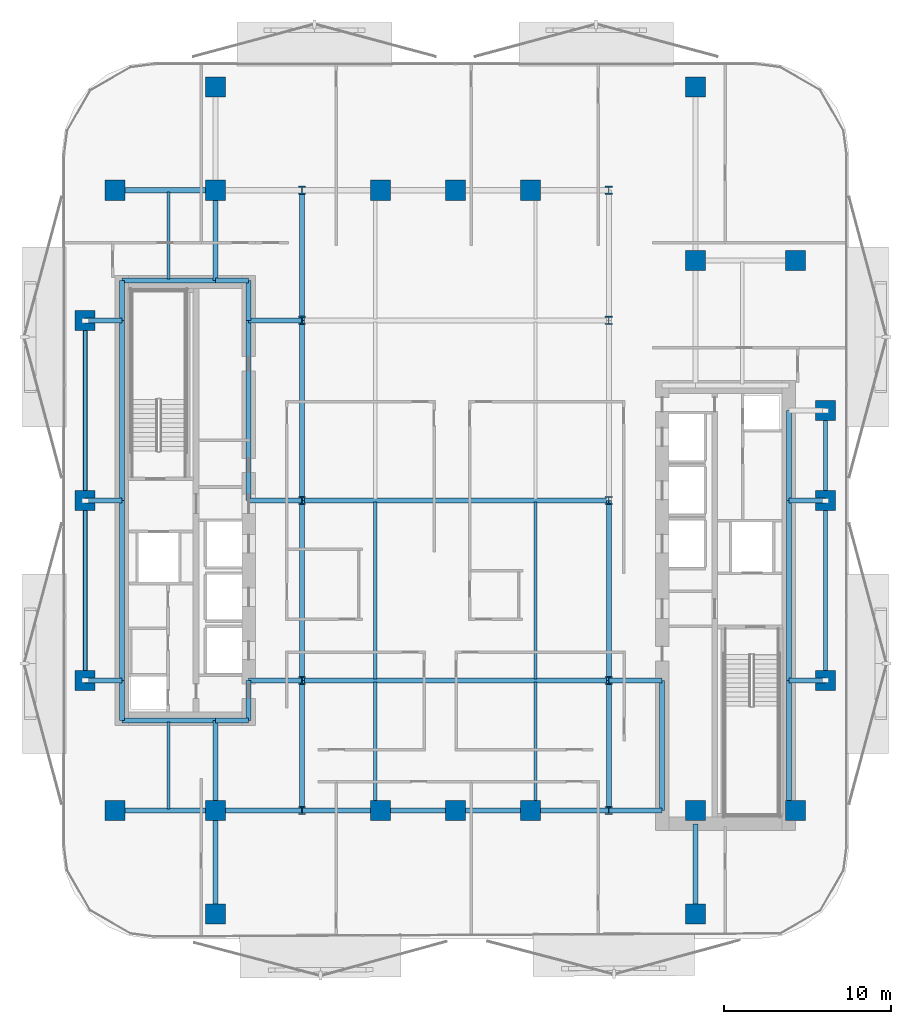
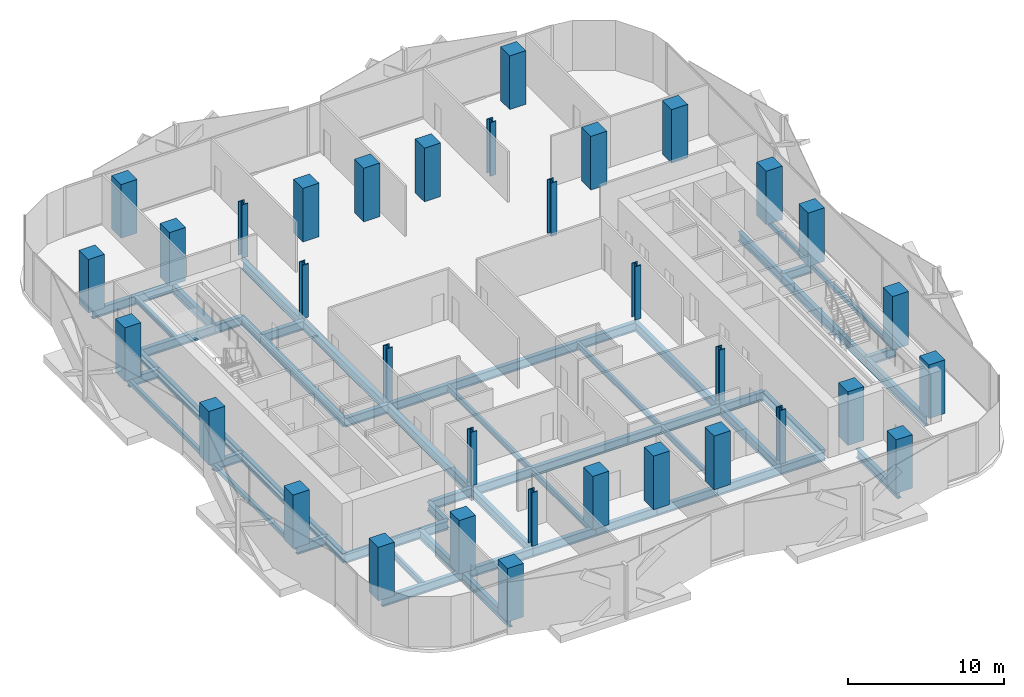
# One storey, part 1 of 15: 54 beams, 34 columns.
"""IFC4 building model written with IfcOpenShell, lengths in metres."""

from ifc_helpers import new_model, si_unit, direction, frame, origin, origin_2d, place, context, subcontext, project, spatial, rectangle, hollow_rectangle, i_section, extrude, material, material_profile, profile_set, type_object, element, save


model = new_model("IFC4")

# Units and contexts
model_context = context("Model", 3, precision=1e-05, world=origin(), true_north=direction((0.0, 1.0)))
body_context = subcontext(model_context, "Body", "Model", "MODEL_VIEW")
ifc_project = project(units=[si_unit("LENGTHUNIT", "METRE"), si_unit("AREAUNIT", "SQUARE_METRE"), si_unit("VOLUMEUNIT", "CUBIC_METRE"), si_unit("PLANEANGLEUNIT", "RADIAN"), si_unit("MASSUNIT", "GRAM", prefix="KILO")], contexts=[model_context])

# Site, building, storey
site_placement = place(None, origin())
site = spatial("IfcSite", under=ifc_project, at=site_placement, CompositionType="ELEMENT")
building_placement = place(site_placement, origin())
building = spatial("IfcBuilding", under=site, at=building_placement, Name="Khairoan Windgate Tower", CompositionType="ELEMENT")
storey_placement = place(building_placement, frame((0.0, 0.0, 135.199951171875)))
storey = spatial("IfcBuildingStorey", under=building, at=storey_placement, Name="L31", CompositionType="ELEMENT", Elevation=135.199951171875)

# Columns
ifc_material_1 = material(Name="Concrete C60/75", Category="concrete")
ifc_material_profile_1 = material_profile(ifc_material_1, rectangle(XDim=1.199951171875, YDim=1.199951171875, at=origin_2d()))
ifc_profile_set_1 = profile_set([ifc_material_profile_1], Name="Concrete C60/75")
column_type_1 = type_object("IfcColumnType", Name="Column C-T3 RC1200x1200", PredefinedType="COLUMN", material=ifc_profile_set_1)
for number, where, z_axis, x_axis, name in (
    (1, (-20.39990234375, -18.60009765625, 0.0), (0.0, 0.0, 1.0), (1.0, 0.0, 0.0), "Column L31-11"),
    (2, (-20.39990234375, 18.60009765625, 0.0), (0.0, 0.0, 1.0), (1.0, 0.0, 0.0), "Column L31-12"),
    (3, (20.39990234375, -18.60009765625, 0.0), (0.0, 0.0, 1.0), (1.0, 0.0, 0.0), "Column L31-13"),
    (4, (20.39990234375, 14.39990234375, 0.0), (0.0, 0.0, 1.0), (1.0, 0.0, 0.0), "Column L31-14"),
    (5, (-14.39990234375, -18.60009765625, 0.0), (0.0, 0.0, 1.0), (1.0, 0.0, 0.0), "Column L31-15"),
    (6, (-14.39990234375, 18.60009765625, 0.0), (0.0, 0.0, 1.0), (1.0, 0.0, 0.0), "Column L31-16"),
    (7, (14.39990234375, -18.60009765625, 0.0), (0.0, 0.0, 1.0), (1.0, 0.0, 0.0), "Column L31-17"),
    (8, (14.39990234375, 14.39990234375, 0.0), (0.0, 0.0, 1.0), (1.0, 0.0, 0.0), "Column L31-18"),
    (9, (-4.5, -18.60009765625, 0.0), (0.0, 0.0, 1.0), (1.0, 0.0, 0.0), "Column L31-19"),
    (10, (0.0, -18.60009765625, 0.0), (0.0, 0.0, 1.0), (1.0, 0.0, 0.0), "Column L31-20"),
    (11, (4.5, -18.60009765625, 0.0), (0.0, 0.0, 1.0), (1.0, 0.0, 0.0), "Column L31-21"),
    (12, (-4.5, 18.60009765625, 0.0), (0.0, 0.0, 1.0), (1.0, 0.0, 0.0), "Column L31-22"),
    (13, (0.0, 18.60009765625, 0.0), (0.0, 0.0, 1.0), (1.0, 0.0, 0.0), "Column L31-23"),
    (14, (4.5, 18.60009765625, 0.0), (0.0, 0.0, 1.0), (1.0, 0.0, 0.0), "Column L31-24"),
    (15, (-22.199951171875, -10.800048828125, 0.0), (0.0, 0.0, 1.0), (1.0, 0.0, 0.0), "Column L31-25"),
    (16, (-22.199951171875, 0.0, 0.0), (0.0, 0.0, 1.0), (1.0, 0.0, 0.0), "Column L31-26"),
    (17, (-22.199951171875, 10.800048828125, 0.0), (0.0, 0.0, 1.0), (1.0, 0.0, 0.0), "Column L31-27"),
    (18, (22.199951171875, -10.800048828125, 0.0), (0.0, 0.0, 1.0), (1.0, 0.0, 0.0), "Column L31-28"),
    (19, (22.199951171875, 0.0, 0.0), (0.0, 0.0, 1.0), (1.0, 0.0, 0.0), "Column L31-29"),
    (20, (22.199951171875, 5.39990234375, 0.0), (0.0, 0.0, 1.0), (1.0, 0.0, 0.0), "Column L31-30"),
    (21, (-14.39990234375, -24.800048828125, 0.0), (0.0, 0.0, 1.0), (1.0, 0.0, 0.0), "Column L31-31"),
    (22, (-14.39990234375, 24.800048828125, 0.0), (0.0, 0.0, 1.0), (1.0, 0.0, 0.0), "Column L31-32"),
    (23, (14.39990234375, -24.800048828125, 0.0), (0.0, 0.0, 1.0), (1.0, 0.0, 0.0), "Column L31-33"),
    (24, (14.39990234375, 24.800048828125, 0.0), (0.0, 0.0, 1.0), (1.0, 0.0, 0.0), "Column L31-34"),
):
    element("IfcColumn", number, at=place(storey_placement, frame(where, z_axis=z_axis, x_axis=x_axis)), inside=storey, type_object=column_type_1, Name=name, PredefinedType="COLUMN", context=body_context, shape_type="SweptSolid", body=[
        extrude(rectangle(XDim=1.199951171875, YDim=1.199951171875, at=origin_2d()), origin(), (0.0, 0.0, 1.0), 4.199951171875),
    ])
ifc_material_2 = material(Name="Steel S355", Category="steel")
ifc_material_profile_2 = material_profile(ifc_material_2, i_section(OverallWidth=0.431884765625, OverallDepth=0.498046875, WebThickness=0.044921875, FlangeThickness=0.070068359375, FilletRadius=0.02197265625, at=origin_2d()))
ifc_profile_set_2 = profile_set([ifc_material_profile_2], Name="Steel S355")
column_type_2 = type_object("IfcColumnType", Name="Steel Column SC1 H498x432x45x70", PredefinedType="COLUMN", material=ifc_profile_set_2)
for number, where, z_axis, x_axis, name in (
    (25, (-9.199951171875, -18.60009765625, 0.0), (0.0, 0.0, 1.0), (1.0, 0.0, 0.0), "Column L31-01"),
    (26, (-9.199951171875, -10.800048828125, 0.0), (0.0, 0.0, 1.0), (1.0, 0.0, 0.0), "Column L31-02"),
    (27, (-9.199951171875, 0.0, 0.0), (0.0, 0.0, 1.0), (1.0, 0.0, 0.0), "Column L31-03"),
    (28, (-9.199951171875, 10.800048828125, 0.0), (0.0, 0.0, 1.0), (1.0, 0.0, 0.0), "Column L31-04"),
    (29, (-9.199951171875, 18.60009765625, 0.0), (0.0, 0.0, 1.0), (1.0, 0.0, 0.0), "Column L31-05"),
    (30, (9.199951171875, -18.60009765625, 0.0), (0.0, 0.0, 1.0), (1.0, 0.0, 0.0), "Column L31-06"),
    (31, (9.199951171875, -10.800048828125, 0.0), (0.0, 0.0, 1.0), (1.0, 0.0, 0.0), "Column L31-07"),
    (32, (9.199951171875, 0.0, 0.0), (0.0, 0.0, 1.0), (1.0, 0.0, 0.0), "Column L31-08"),
    (33, (9.199951171875, 10.800048828125, 0.0), (0.0, 0.0, 1.0), (1.0, 0.0, 0.0), "Column L31-09"),
    (34, (9.199951171875, 18.60009765625, 0.0), (0.0, 0.0, 1.0), (1.0, 0.0, 0.0), "Column L31-10"),
):
    element("IfcColumn", number, at=place(storey_placement, frame(where, z_axis=z_axis, x_axis=x_axis)), inside=storey, type_object=column_type_2, Name=name, PredefinedType="COLUMN", context=body_context, shape_type="SweptSolid", body=[
        extrude(i_section(OverallWidth=0.431884765625, OverallDepth=0.498046875, WebThickness=0.044921875, FlangeThickness=0.070068359375, FilletRadius=0.02197265625, at=origin_2d()), origin(), (0.0, 0.0, 1.0), 4.199951171875),
    ])

# Beams
ifc_material_3 = material(Name="Steel S355", Category="steel")
ifc_material_profile_3 = material_profile(ifc_material_3, i_section(OverallWidth=0.300048828125, OverallDepth=0.699951171875, WebThickness=0.012939453125, FlangeThickness=0.02392578125, FilletRadius=0.02587890625, at=origin_2d()))
ifc_profile_set_3 = profile_set([ifc_material_profile_3], Name="Steel S355")
beam_type_1 = type_object("IfcBeamType", Name="Beam B-G3 H700x300x13x24", PredefinedType="BEAM", material=ifc_profile_set_3)
beam_1_placement = place(storey_placement, frame((-20.39990234375, -18.60009765625, -0.60986328125), z_axis=(1.0, 0.0, 0.0), x_axis=(0.0, 1.0, 0.0)))
element("IfcBeam", 35, at=beam_1_placement, inside=storey, type_object=beam_type_1, Name="L31 E-W Primary Girder 01", PredefinedType="BEAM", context=body_context, shape_type="SweptSolid", body=[
    extrude(i_section(OverallWidth=0.300048828125, OverallDepth=0.699951171875, WebThickness=0.012939453125, FlangeThickness=0.02392578125, FilletRadius=0.02587890625, at=origin_2d()), origin(), (0.0, 0.0, 1.0), 6.0),
])
beam_2_placement = place(storey_placement, frame((-14.39990234375, -18.60009765625, -0.60986328125), z_axis=(1.0, 0.0, 0.0), x_axis=(0.0, 1.0, 0.0)))
element("IfcBeam", 36, at=beam_2_placement, inside=storey, type_object=beam_type_1, Name="L31 E-W Primary Girder 02", PredefinedType="BEAM", context=body_context, shape_type="SweptSolid", body=[
    extrude(i_section(OverallWidth=0.300048828125, OverallDepth=0.699951171875, WebThickness=0.012939453125, FlangeThickness=0.02392578125, FilletRadius=0.02587890625, at=origin_2d()), origin(), (0.0, 0.0, 1.0), 5.199951171875),
])
beam_3_placement = place(storey_placement, frame((-9.199951171875, -18.60009765625, -0.60986328125), z_axis=(1.0, 0.0, 0.0), x_axis=(0.0, 1.0, 0.0)))
element("IfcBeam", 37, at=beam_3_placement, inside=storey, type_object=beam_type_1, Name="L31 E-W Primary Girder 03", PredefinedType="BEAM", context=body_context, shape_type="SweptSolid", body=[
    extrude(i_section(OverallWidth=0.300048828125, OverallDepth=0.699951171875, WebThickness=0.012939453125, FlangeThickness=0.02392578125, FilletRadius=0.02587890625, at=origin_2d()), origin(), (0.0, 0.0, 1.0), 4.699951171875),
])
for number, where, z_axis, x_axis, name in (
    (38, (-4.5, -18.60009765625, -0.60986328125), (1.0, 0.0, 0.0), (0.0, 1.0, 0.0), "L31 E-W Primary Girder 04"),
    (39, (0.0, -18.60009765625, -0.60986328125), (1.0, 0.0, 0.0), (0.0, 1.0, 0.0), "L31 E-W Primary Girder 05"),
):
    element("IfcBeam", number, at=place(storey_placement, frame(where, z_axis=z_axis, x_axis=x_axis)), inside=storey, type_object=beam_type_1, Name=name, PredefinedType="BEAM", context=body_context, shape_type="SweptSolid", body=[
        extrude(i_section(OverallWidth=0.300048828125, OverallDepth=0.699951171875, WebThickness=0.012939453125, FlangeThickness=0.02392578125, FilletRadius=0.02587890625, at=origin_2d()), origin(), (0.0, 0.0, 1.0), 4.5),
    ])
beam_4_placement = place(storey_placement, frame((4.5, -18.60009765625, -0.60986328125), z_axis=(1.0, 0.0, 0.0), x_axis=(0.0, 1.0, 0.0)))
element("IfcBeam", 40, at=beam_4_placement, inside=storey, type_object=beam_type_1, Name="L31 E-W Primary Girder 06", PredefinedType="BEAM", context=body_context, shape_type="SweptSolid", body=[
    extrude(i_section(OverallWidth=0.300048828125, OverallDepth=0.699951171875, WebThickness=0.012939453125, FlangeThickness=0.02392578125, FilletRadius=0.02587890625, at=origin_2d()), origin(), (0.0, 0.0, 1.0), 4.699951171875),
])
beam_5_placement = place(storey_placement, frame((9.199951171875, -18.60009765625, -0.60986328125), z_axis=(1.0, 0.0, 0.0), x_axis=(0.0, 1.0, 0.0)))
element("IfcBeam", 41, at=beam_5_placement, inside=storey, type_object=beam_type_1, Name="L31 E-W Primary Girder 07", PredefinedType="BEAM", context=body_context, shape_type="SweptSolid", body=[
    extrude(i_section(OverallWidth=0.300048828125, OverallDepth=0.699951171875, WebThickness=0.012939453125, FlangeThickness=0.02392578125, FilletRadius=0.02587890625, at=origin_2d()), origin(), (0.0, 0.0, 1.0), 3.199951171875),
])
beam_6_placement = place(storey_placement, frame((-20.0, -13.199951171875, -0.60986328125), z_axis=(1.0, 0.0, 0.0), x_axis=(0.0, 1.0, 0.0)))
element("IfcBeam", 42, at=beam_6_placement, inside=storey, type_object=beam_type_1, Name="L31 E-W Primary Girder 08", PredefinedType="BEAM", context=body_context, shape_type="SweptSolid", body=[
    extrude(i_section(OverallWidth=0.300048828125, OverallDepth=0.699951171875, WebThickness=0.012939453125, FlangeThickness=0.02392578125, FilletRadius=0.02587890625, at=origin_2d()), origin(), (0.0, 0.0, 1.0), 5.60009765625),
])
beam_7_placement = place(storey_placement, frame((-14.39990234375, -13.199951171875, -0.60986328125), z_axis=(1.0, 0.0, 0.0), x_axis=(0.0, 1.0, 0.0)))
element("IfcBeam", 43, at=beam_7_placement, inside=storey, type_object=beam_type_1, Name="L31 E-W Primary Girder 09", PredefinedType="BEAM", context=body_context, shape_type="SweptSolid", body=[
    extrude(i_section(OverallWidth=0.300048828125, OverallDepth=0.699951171875, WebThickness=0.012939453125, FlangeThickness=0.02392578125, FilletRadius=0.02587890625, at=origin_2d()), origin(), (0.0, 0.0, 1.0), 2.0),
])
beam_8_placement = place(storey_placement, frame((-22.199951171875, -10.800048828125, -0.60986328125), z_axis=(1.0, 0.0, 0.0), x_axis=(0.0, 1.0, 0.0)))
element("IfcBeam", 44, at=beam_8_placement, inside=storey, type_object=beam_type_1, Name="L31 E-W Primary Girder 10", PredefinedType="BEAM", context=body_context, shape_type="SweptSolid", body=[
    extrude(i_section(OverallWidth=0.300048828125, OverallDepth=0.699951171875, WebThickness=0.012939453125, FlangeThickness=0.02392578125, FilletRadius=0.02587890625, at=origin_2d()), origin(), (0.0, 0.0, 1.0), 2.199951171875),
])
beam_9_placement = place(storey_placement, frame((-12.39990234375, -10.800048828125, -0.60986328125), z_axis=(1.0, 0.0, 0.0), x_axis=(0.0, 1.0, 0.0)))
element("IfcBeam", 45, at=beam_9_placement, inside=storey, type_object=beam_type_1, Name="L31 E-W Primary Girder 11", PredefinedType="BEAM", context=body_context, shape_type="SweptSolid", body=[
    extrude(i_section(OverallWidth=0.300048828125, OverallDepth=0.699951171875, WebThickness=0.012939453125, FlangeThickness=0.02392578125, FilletRadius=0.02587890625, at=origin_2d()), origin(), (0.0, 0.0, 1.0), 3.199951171875),
])
beam_10_placement = place(storey_placement, frame((-9.199951171875, -10.800048828125, -0.60986328125), z_axis=(1.0, 0.0, 0.0), x_axis=(0.0, 1.0, 0.0)))
element("IfcBeam", 46, at=beam_10_placement, inside=storey, type_object=beam_type_1, Name="L31 E-W Primary Girder 12", PredefinedType="BEAM", context=body_context, shape_type="SweptSolid", body=[
    extrude(i_section(OverallWidth=0.300048828125, OverallDepth=0.699951171875, WebThickness=0.012939453125, FlangeThickness=0.02392578125, FilletRadius=0.02587890625, at=origin_2d()), origin(), (0.0, 0.0, 1.0), 18.39990234375),
])
beam_11_placement = place(storey_placement, frame((9.199951171875, -10.800048828125, -0.60986328125), z_axis=(1.0, 0.0, 0.0), x_axis=(0.0, 1.0, 0.0)))
element("IfcBeam", 47, at=beam_11_placement, inside=storey, type_object=beam_type_1, Name="L31 E-W Primary Girder 13", PredefinedType="BEAM", context=body_context, shape_type="SweptSolid", body=[
    extrude(i_section(OverallWidth=0.300048828125, OverallDepth=0.699951171875, WebThickness=0.012939453125, FlangeThickness=0.02392578125, FilletRadius=0.02587890625, at=origin_2d()), origin(), (0.0, 0.0, 1.0), 3.199951171875),
])
for number, where, z_axis, x_axis, name in (
    (48, (20.0, -10.800048828125, -0.60986328125), (1.0, 0.0, 0.0), (0.0, 1.0, 0.0), "L31 E-W Primary Girder 14"),
    (49, (-22.199951171875, 0.0, -0.60986328125), (1.0, 0.0, 0.0), (0.0, 1.0, 0.0), "L31 E-W Primary Girder 15"),
):
    element("IfcBeam", number, at=place(storey_placement, frame(where, z_axis=z_axis, x_axis=x_axis)), inside=storey, type_object=beam_type_1, Name=name, PredefinedType="BEAM", context=body_context, shape_type="SweptSolid", body=[
        extrude(i_section(OverallWidth=0.300048828125, OverallDepth=0.699951171875, WebThickness=0.012939453125, FlangeThickness=0.02392578125, FilletRadius=0.02587890625, at=origin_2d()), origin(), (0.0, 0.0, 1.0), 2.199951171875),
    ])
beam_12_placement = place(storey_placement, frame((-12.39990234375, 0.0, -0.60986328125), z_axis=(1.0, 0.0, 0.0), x_axis=(0.0, 1.0, 0.0)))
element("IfcBeam", 50, at=beam_12_placement, inside=storey, type_object=beam_type_1, Name="L31 E-W Primary Girder 16", PredefinedType="BEAM", context=body_context, shape_type="SweptSolid", body=[
    extrude(i_section(OverallWidth=0.300048828125, OverallDepth=0.699951171875, WebThickness=0.012939453125, FlangeThickness=0.02392578125, FilletRadius=0.02587890625, at=origin_2d()), origin(), (0.0, 0.0, 1.0), 3.199951171875),
])
beam_13_placement = place(storey_placement, frame((-9.199951171875, 0.0, -0.60986328125), z_axis=(1.0, 0.0, 0.0), x_axis=(0.0, 1.0, 0.0)))
element("IfcBeam", 51, at=beam_13_placement, inside=storey, type_object=beam_type_1, Name="L31 E-W Primary Girder 17", PredefinedType="BEAM", context=body_context, shape_type="SweptSolid", body=[
    extrude(i_section(OverallWidth=0.300048828125, OverallDepth=0.699951171875, WebThickness=0.012939453125, FlangeThickness=0.02392578125, FilletRadius=0.02587890625, at=origin_2d()), origin(), (0.0, 0.0, 1.0), 18.39990234375),
])
for number, where, z_axis, x_axis, name in (
    (52, (20.0, 0.0, -0.60986328125), (1.0, 0.0, 0.0), (0.0, 1.0, 0.0), "L31 E-W Primary Girder 18"),
    (53, (-22.199951171875, 10.800048828125, -0.60986328125), (1.0, 0.0, 0.0), (0.0, 1.0, 0.0), "L31 E-W Primary Girder 22"),
):
    element("IfcBeam", number, at=place(storey_placement, frame(where, z_axis=z_axis, x_axis=x_axis)), inside=storey, type_object=beam_type_1, Name=name, PredefinedType="BEAM", context=body_context, shape_type="SweptSolid", body=[
        extrude(i_section(OverallWidth=0.300048828125, OverallDepth=0.699951171875, WebThickness=0.012939453125, FlangeThickness=0.02392578125, FilletRadius=0.02587890625, at=origin_2d()), origin(), (0.0, 0.0, 1.0), 2.199951171875),
    ])
beam_14_placement = place(storey_placement, frame((-12.39990234375, 10.800048828125, -0.60986328125), z_axis=(1.0, 0.0, 0.0), x_axis=(0.0, 1.0, 0.0)))
element("IfcBeam", 54, at=beam_14_placement, inside=storey, type_object=beam_type_1, Name="L31 E-W Primary Girder 23", PredefinedType="BEAM", context=body_context, shape_type="SweptSolid", body=[
    extrude(i_section(OverallWidth=0.300048828125, OverallDepth=0.699951171875, WebThickness=0.012939453125, FlangeThickness=0.02392578125, FilletRadius=0.02587890625, at=origin_2d()), origin(), (0.0, 0.0, 1.0), 3.199951171875),
])
beam_15_placement = place(storey_placement, frame((-20.0, 13.199951171875, -0.60986328125), z_axis=(1.0, 0.0, 0.0), x_axis=(0.0, 1.0, 0.0)))
element("IfcBeam", 55, at=beam_15_placement, inside=storey, type_object=beam_type_1, Name="L31 E-W Primary Girder 25", PredefinedType="BEAM", context=body_context, shape_type="SweptSolid", body=[
    extrude(i_section(OverallWidth=0.300048828125, OverallDepth=0.699951171875, WebThickness=0.012939453125, FlangeThickness=0.02392578125, FilletRadius=0.02587890625, at=origin_2d()), origin(), (0.0, 0.0, 1.0), 5.60009765625),
])
beam_16_placement = place(storey_placement, frame((-14.39990234375, 13.199951171875, -0.60986328125), z_axis=(1.0, 0.0, 0.0), x_axis=(0.0, 1.0, 0.0)))
element("IfcBeam", 56, at=beam_16_placement, inside=storey, type_object=beam_type_1, Name="L31 E-W Primary Girder 26", PredefinedType="BEAM", context=body_context, shape_type="SweptSolid", body=[
    extrude(i_section(OverallWidth=0.300048828125, OverallDepth=0.699951171875, WebThickness=0.012939453125, FlangeThickness=0.02392578125, FilletRadius=0.02587890625, at=origin_2d()), origin(), (0.0, 0.0, 1.0), 2.0),
])
beam_17_placement = place(storey_placement, frame((-20.39990234375, 18.60009765625, -0.60986328125), z_axis=(1.0, 0.0, 0.0), x_axis=(0.0, 1.0, 0.0)))
element("IfcBeam", 57, at=beam_17_placement, inside=storey, type_object=beam_type_1, Name="L31 E-W Primary Girder 28", PredefinedType="BEAM", context=body_context, shape_type="SweptSolid", body=[
    extrude(i_section(OverallWidth=0.300048828125, OverallDepth=0.699951171875, WebThickness=0.012939453125, FlangeThickness=0.02392578125, FilletRadius=0.02587890625, at=origin_2d()), origin(), (0.0, 0.0, 1.0), 6.0),
])
beam_18_placement = place(storey_placement, frame((-20.0, -13.199951171875, -0.60986328125), z_axis=(0.0, 1.0, 0.0), x_axis=(-1.0, 0.0, 0.0)))
element("IfcBeam", 58, at=beam_18_placement, inside=storey, type_object=beam_type_1, Name="L31 N-S Primary Beam 36", PredefinedType="BEAM", context=body_context, shape_type="SweptSolid", body=[
    extrude(i_section(OverallWidth=0.300048828125, OverallDepth=0.699951171875, WebThickness=0.012939453125, FlangeThickness=0.02392578125, FilletRadius=0.02587890625, at=origin_2d()), origin(), (0.0, 0.0, 1.0), 2.39990234375),
])
for number, where, z_axis, x_axis, name in (
    (59, (-20.0, -10.800048828125, -0.60986328125), (0.0, 1.0, 0.0), (-1.0, 0.0, 0.0), "L31 N-S Primary Beam 37"),
    (60, (-20.0, 0.0, -0.60986328125), (0.0, 1.0, 0.0), (-1.0, 0.0, 0.0), "L31 N-S Primary Beam 38"),
):
    element("IfcBeam", number, at=place(storey_placement, frame(where, z_axis=z_axis, x_axis=x_axis)), inside=storey, type_object=beam_type_1, Name=name, PredefinedType="BEAM", context=body_context, shape_type="SweptSolid", body=[
        extrude(i_section(OverallWidth=0.300048828125, OverallDepth=0.699951171875, WebThickness=0.012939453125, FlangeThickness=0.02392578125, FilletRadius=0.02587890625, at=origin_2d()), origin(), (0.0, 0.0, 1.0), 10.800048828125),
    ])
beam_19_placement = place(storey_placement, frame((-20.0, 10.800048828125, -0.60986328125), z_axis=(0.0, 1.0, 0.0), x_axis=(-1.0, 0.0, 0.0)))
element("IfcBeam", 61, at=beam_19_placement, inside=storey, type_object=beam_type_1, Name="L31 N-S Primary Beam 39", PredefinedType="BEAM", context=body_context, shape_type="SweptSolid", body=[
    extrude(i_section(OverallWidth=0.300048828125, OverallDepth=0.699951171875, WebThickness=0.012939453125, FlangeThickness=0.02392578125, FilletRadius=0.02587890625, at=origin_2d()), origin(), (0.0, 0.0, 1.0), 2.39990234375),
])
beam_20_placement = place(storey_placement, frame((-14.39990234375, -24.800048828125, -0.60986328125), z_axis=(0.0, 1.0, 0.0), x_axis=(-1.0, 0.0, 0.0)))
element("IfcBeam", 62, at=beam_20_placement, inside=storey, type_object=beam_type_1, Name="L31 N-S Primary Beam 40", PredefinedType="BEAM", context=body_context, shape_type="SweptSolid", body=[
    extrude(i_section(OverallWidth=0.300048828125, OverallDepth=0.699951171875, WebThickness=0.012939453125, FlangeThickness=0.02392578125, FilletRadius=0.02587890625, at=origin_2d()), origin(), (0.0, 0.0, 1.0), 6.199951171875),
])
for number, where, z_axis, x_axis, name in (
    (63, (-14.39990234375, -18.60009765625, -0.60986328125), (0.0, 1.0, 0.0), (-1.0, 0.0, 0.0), "L31 N-S Primary Beam 41"),
    (64, (-14.39990234375, 13.199951171875, -0.60986328125), (0.0, 1.0, 0.0), (-1.0, 0.0, 0.0), "L31 N-S Primary Beam 42"),
):
    element("IfcBeam", number, at=place(storey_placement, frame(where, z_axis=z_axis, x_axis=x_axis)), inside=storey, type_object=beam_type_1, Name=name, PredefinedType="BEAM", context=body_context, shape_type="SweptSolid", body=[
        extrude(i_section(OverallWidth=0.300048828125, OverallDepth=0.699951171875, WebThickness=0.012939453125, FlangeThickness=0.02392578125, FilletRadius=0.02587890625, at=origin_2d()), origin(), (0.0, 0.0, 1.0), 5.400146484375),
    ])
beam_21_placement = place(storey_placement, frame((-12.39990234375, -13.199951171875, -0.60986328125), z_axis=(0.0, 1.0, 0.0), x_axis=(-1.0, 0.0, 0.0)))
element("IfcBeam", 65, at=beam_21_placement, inside=storey, type_object=beam_type_1, Name="L31 N-S Primary Beam 44", PredefinedType="BEAM", context=body_context, shape_type="SweptSolid", body=[
    extrude(i_section(OverallWidth=0.300048828125, OverallDepth=0.699951171875, WebThickness=0.012939453125, FlangeThickness=0.02392578125, FilletRadius=0.02587890625, at=origin_2d()), origin(), (0.0, 0.0, 1.0), 2.39990234375),
])
beam_22_placement = place(storey_placement, frame((-12.39990234375, 0.0, -0.60986328125), z_axis=(0.0, 1.0, 0.0), x_axis=(-1.0, 0.0, 0.0)))
element("IfcBeam", 66, at=beam_22_placement, inside=storey, type_object=beam_type_1, Name="L31 N-S Primary Beam 45", PredefinedType="BEAM", context=body_context, shape_type="SweptSolid", body=[
    extrude(i_section(OverallWidth=0.300048828125, OverallDepth=0.699951171875, WebThickness=0.012939453125, FlangeThickness=0.02392578125, FilletRadius=0.02587890625, at=origin_2d()), origin(), (0.0, 0.0, 1.0), 10.800048828125),
])
beam_23_placement = place(storey_placement, frame((-12.39990234375, 10.800048828125, -0.60986328125), z_axis=(0.0, 1.0, 0.0), x_axis=(-1.0, 0.0, 0.0)))
element("IfcBeam", 67, at=beam_23_placement, inside=storey, type_object=beam_type_1, Name="L31 N-S Primary Beam 46", PredefinedType="BEAM", context=body_context, shape_type="SweptSolid", body=[
    extrude(i_section(OverallWidth=0.300048828125, OverallDepth=0.699951171875, WebThickness=0.012939453125, FlangeThickness=0.02392578125, FilletRadius=0.02587890625, at=origin_2d()), origin(), (0.0, 0.0, 1.0), 2.39990234375),
])
beam_24_placement = place(storey_placement, frame((-9.199951171875, -18.60009765625, -0.60986328125), z_axis=(0.0, 1.0, 0.0), x_axis=(-1.0, 0.0, 0.0)))
element("IfcBeam", 68, at=beam_24_placement, inside=storey, type_object=beam_type_1, Name="L31 N-S Primary Beam 47", PredefinedType="BEAM", context=body_context, shape_type="SweptSolid", body=[
    extrude(i_section(OverallWidth=0.300048828125, OverallDepth=0.699951171875, WebThickness=0.012939453125, FlangeThickness=0.02392578125, FilletRadius=0.02587890625, at=origin_2d()), origin(), (0.0, 0.0, 1.0), 7.800048828125),
])
for number, where, z_axis, x_axis, name in (
    (69, (-9.199951171875, -10.800048828125, -0.60986328125), (0.0, 1.0, 0.0), (-1.0, 0.0, 0.0), "L31 N-S Primary Beam 48"),
    (70, (-9.199951171875, 0.0, -0.60986328125), (0.0, 1.0, 0.0), (-1.0, 0.0, 0.0), "L31 N-S Primary Beam 49"),
):
    element("IfcBeam", number, at=place(storey_placement, frame(where, z_axis=z_axis, x_axis=x_axis)), inside=storey, type_object=beam_type_1, Name=name, PredefinedType="BEAM", context=body_context, shape_type="SweptSolid", body=[
        extrude(i_section(OverallWidth=0.300048828125, OverallDepth=0.699951171875, WebThickness=0.012939453125, FlangeThickness=0.02392578125, FilletRadius=0.02587890625, at=origin_2d()), origin(), (0.0, 0.0, 1.0), 10.800048828125),
    ])
for number, where, z_axis, x_axis, name in (
    (71, (-9.199951171875, 10.800048828125, -0.60986328125), (0.0, 1.0, 0.0), (-1.0, 0.0, 0.0), "L31 N-S Primary Beam 50"),
    (72, (9.199951171875, -18.60009765625, -0.60986328125), (0.0, 1.0, 0.0), (-1.0, 0.0, 0.0), "L31 N-S Primary Beam 51"),
):
    element("IfcBeam", number, at=place(storey_placement, frame(where, z_axis=z_axis, x_axis=x_axis)), inside=storey, type_object=beam_type_1, Name=name, PredefinedType="BEAM", context=body_context, shape_type="SweptSolid", body=[
        extrude(i_section(OverallWidth=0.300048828125, OverallDepth=0.699951171875, WebThickness=0.012939453125, FlangeThickness=0.02392578125, FilletRadius=0.02587890625, at=origin_2d()), origin(), (0.0, 0.0, 1.0), 7.800048828125),
    ])
beam_25_placement = place(storey_placement, frame((9.199951171875, -10.800048828125, -0.60986328125), z_axis=(0.0, 1.0, 0.0), x_axis=(-1.0, 0.0, 0.0)))
element("IfcBeam", 73, at=beam_25_placement, inside=storey, type_object=beam_type_1, Name="L31 N-S Primary Beam 52", PredefinedType="BEAM", context=body_context, shape_type="SweptSolid", body=[
    extrude(i_section(OverallWidth=0.300048828125, OverallDepth=0.699951171875, WebThickness=0.012939453125, FlangeThickness=0.02392578125, FilletRadius=0.02587890625, at=origin_2d()), origin(), (0.0, 0.0, 1.0), 10.800048828125),
])
beam_26_placement = place(storey_placement, frame((12.39990234375, -18.60009765625, -0.60986328125), z_axis=(0.0, 1.0, 0.0), x_axis=(-1.0, 0.0, 0.0)))
element("IfcBeam", 74, at=beam_26_placement, inside=storey, type_object=beam_type_1, Name="L31 N-S Primary Beam 55", PredefinedType="BEAM", context=body_context, shape_type="SweptSolid", body=[
    extrude(i_section(OverallWidth=0.300048828125, OverallDepth=0.699951171875, WebThickness=0.012939453125, FlangeThickness=0.02392578125, FilletRadius=0.02587890625, at=origin_2d()), origin(), (0.0, 0.0, 1.0), 7.800048828125),
])
beam_27_placement = place(storey_placement, frame((14.39990234375, -24.800048828125, -0.60986328125), z_axis=(0.0, 1.0, 0.0), x_axis=(-1.0, 0.0, 0.0)))
element("IfcBeam", 75, at=beam_27_placement, inside=storey, type_object=beam_type_1, Name="L31 N-S Primary Beam 56", PredefinedType="BEAM", context=body_context, shape_type="SweptSolid", body=[
    extrude(i_section(OverallWidth=0.300048828125, OverallDepth=0.699951171875, WebThickness=0.012939453125, FlangeThickness=0.02392578125, FilletRadius=0.02587890625, at=origin_2d()), origin(), (0.0, 0.0, 1.0), 5.400146484375),
])
beam_28_placement = place(storey_placement, frame((20.0, -18.60009765625, -0.60986328125), z_axis=(0.0, 1.0, 0.0), x_axis=(-1.0, 0.0, 0.0)))
element("IfcBeam", 76, at=beam_28_placement, inside=storey, type_object=beam_type_1, Name="L31 N-S Primary Beam 59", PredefinedType="BEAM", context=body_context, shape_type="SweptSolid", body=[
    extrude(i_section(OverallWidth=0.300048828125, OverallDepth=0.699951171875, WebThickness=0.012939453125, FlangeThickness=0.02392578125, FilletRadius=0.02587890625, at=origin_2d()), origin(), (0.0, 0.0, 1.0), 7.800048828125),
])
beam_29_placement = place(storey_placement, frame((20.0, -10.800048828125, -0.60986328125), z_axis=(0.0, 1.0, 0.0), x_axis=(-1.0, 0.0, 0.0)))
element("IfcBeam", 77, at=beam_29_placement, inside=storey, type_object=beam_type_1, Name="L31 N-S Primary Beam 60", PredefinedType="BEAM", context=body_context, shape_type="SweptSolid", body=[
    extrude(i_section(OverallWidth=0.300048828125, OverallDepth=0.699951171875, WebThickness=0.012939453125, FlangeThickness=0.02392578125, FilletRadius=0.02587890625, at=origin_2d()), origin(), (0.0, 0.0, 1.0), 10.800048828125),
])
beam_30_placement = place(storey_placement, frame((20.0, 0.0, -0.60986328125), z_axis=(0.0, 1.0, 0.0), x_axis=(-1.0, 0.0, 0.0)))
element("IfcBeam", 78, at=beam_30_placement, inside=storey, type_object=beam_type_1, Name="L31 N-S Primary Beam 61", PredefinedType="BEAM", context=body_context, shape_type="SweptSolid", body=[
    extrude(i_section(OverallWidth=0.300048828125, OverallDepth=0.699951171875, WebThickness=0.012939453125, FlangeThickness=0.02392578125, FilletRadius=0.02587890625, at=origin_2d()), origin(), (0.0, 0.0, 1.0), 5.39990234375),
])
ifc_material_4 = material(Name="Steel S355", Category="steel")
ifc_material_profile_4 = material_profile(ifc_material_4, i_section(OverallWidth=0.199951171875, OverallDepth=0.449951171875, WebThickness=0.009033203125, FlangeThickness=0.013916015625, FilletRadius=0.01806640625, at=origin_2d()))
ifc_profile_set_4 = profile_set([ifc_material_profile_4], Name="Steel S355")
beam_type_2 = type_object("IfcBeamType", Name="Beam J-S3 H450x200x9x14", PredefinedType="JOIST", material=ifc_profile_set_4)
for number, where, z_axis, x_axis, name in (
    (79, (-17.199951171875, -18.510009765625, -0.48486328125), (0.0, 1.0, 0.0), (-1.0, 0.0, 0.0), "L31 Secondary Floor Joist 01"),
    (80, (-17.199951171875, 13.2900390625, -0.48486328125), (0.0, 1.0, 0.0), (-1.0, 0.0, 0.0), "L31 Secondary Floor Joist 02"),
):
    element("IfcBeam", number, at=place(storey_placement, frame(where, z_axis=z_axis, x_axis=x_axis)), inside=storey, type_object=beam_type_2, Name=name, PredefinedType="JOIST", context=body_context, shape_type="SweptSolid", body=[
        extrude(i_section(OverallWidth=0.199951171875, OverallDepth=0.449951171875, WebThickness=0.009033203125, FlangeThickness=0.013916015625, FilletRadius=0.01806640625, at=origin_2d()), origin(), (0.0, 0.0, 1.0), 5.219970703125),
    ])
beam_31_placement = place(storey_placement, frame((-4.800048828125, -18.510009765625, -0.48486328125), z_axis=(0.0, 1.0, 0.0), x_axis=(-1.0, 0.0, 0.0)))
element("IfcBeam", 81, at=beam_31_placement, inside=storey, type_object=beam_type_2, Name="L31 Secondary Floor Joist 03", PredefinedType="JOIST", context=body_context, shape_type="SweptSolid", body=[
    extrude(i_section(OverallWidth=0.199951171875, OverallDepth=0.449951171875, WebThickness=0.009033203125, FlangeThickness=0.013916015625, FilletRadius=0.01806640625, at=origin_2d()), origin(), (0.0, 0.0, 1.0), 7.6201171875),
])
beam_32_placement = place(storey_placement, frame((-4.800048828125, -10.7099609375, -0.48486328125), z_axis=(0.0, 1.0, 0.0), x_axis=(-1.0, 0.0, 0.0)))
element("IfcBeam", 82, at=beam_32_placement, inside=storey, type_object=beam_type_2, Name="L31 Secondary Floor Joist 04", PredefinedType="JOIST", context=body_context, shape_type="SweptSolid", body=[
    extrude(i_section(OverallWidth=0.199951171875, OverallDepth=0.449951171875, WebThickness=0.009033203125, FlangeThickness=0.013916015625, FilletRadius=0.01806640625, at=origin_2d()), origin(), (0.0, 0.0, 1.0), 10.619873046875),
])
beam_33_placement = place(storey_placement, frame((4.800048828125, -18.510009765625, -0.48486328125), z_axis=(0.0, 1.0, 0.0), x_axis=(-1.0, 0.0, 0.0)))
element("IfcBeam", 83, at=beam_33_placement, inside=storey, type_object=beam_type_2, Name="L31 Secondary Floor Joist 07", PredefinedType="JOIST", context=body_context, shape_type="SweptSolid", body=[
    extrude(i_section(OverallWidth=0.199951171875, OverallDepth=0.449951171875, WebThickness=0.009033203125, FlangeThickness=0.013916015625, FilletRadius=0.01806640625, at=origin_2d()), origin(), (0.0, 0.0, 1.0), 7.6201171875),
])
beam_34_placement = place(storey_placement, frame((4.800048828125, -10.7099609375, -0.48486328125), z_axis=(0.0, 1.0, 0.0), x_axis=(-1.0, 0.0, 0.0)))
element("IfcBeam", 84, at=beam_34_placement, inside=storey, type_object=beam_type_2, Name="L31 Secondary Floor Joist 08", PredefinedType="JOIST", context=body_context, shape_type="SweptSolid", body=[
    extrude(i_section(OverallWidth=0.199951171875, OverallDepth=0.449951171875, WebThickness=0.009033203125, FlangeThickness=0.013916015625, FilletRadius=0.01806640625, at=origin_2d()), origin(), (0.0, 0.0, 1.0), 10.619873046875),
])
ifc_material_5 = material(Name="Steel S355", Category="steel")
ifc_material_profile_5 = material_profile(ifc_material_5, hollow_rectangle(XDim=0.25, YDim=0.35009765625, WallThickness=0.012451171875, InnerFilletRadius=0.012451171875, OuterFilletRadius=0.02490234375, at=origin_2d()))
ifc_profile_set_5 = profile_set([ifc_material_profile_5], Name="Steel S355")
beam_type_3 = type_object("IfcBeamType", Name="Beam SP-B2 RHS350x250x12.5", PredefinedType="SPANDREL", material=ifc_profile_set_5)
for number, where, z_axis, x_axis, name in (
    (85, (-22.199951171875, -10.800048828125, -0.43505859375), (0.0, 1.0, 0.0), (-1.0, 0.0, 0.0), "L31 Spandrel Beam 34"),
    (86, (-22.199951171875, 0.0, -0.43505859375), (0.0, 1.0, 0.0), (-1.0, 0.0, 0.0), "L31 Spandrel Beam 35"),
    (87, (22.199951171875, -10.800048828125, -0.43505859375), (0.0, 1.0, 0.0), (-1.0, 0.0, 0.0), "L31 Spandrel Beam 62"),
):
    element("IfcBeam", number, at=place(storey_placement, frame(where, z_axis=z_axis, x_axis=x_axis)), inside=storey, type_object=beam_type_3, Name=name, PredefinedType="SPANDREL", context=body_context, shape_type="SweptSolid", body=[
        extrude(hollow_rectangle(XDim=0.25, YDim=0.35009765625, WallThickness=0.012451171875, InnerFilletRadius=0.012451171875, OuterFilletRadius=0.02490234375, at=origin_2d()), origin(), (0.0, 0.0, 1.0), 10.800048828125),
    ])
beam_35_placement = place(storey_placement, frame((22.199951171875, 0.0, -0.43505859375), z_axis=(0.0, 1.0, 0.0), x_axis=(-1.0, 0.0, 0.0)))
element("IfcBeam", 88, at=beam_35_placement, inside=storey, type_object=beam_type_3, Name="L31 Spandrel Beam 63", PredefinedType="SPANDREL", context=body_context, shape_type="SweptSolid", body=[
    extrude(hollow_rectangle(XDim=0.25, YDim=0.35009765625, WallThickness=0.012451171875, InnerFilletRadius=0.012451171875, OuterFilletRadius=0.02490234375, at=origin_2d()), origin(), (0.0, 0.0, 1.0), 5.39990234375),
])

save(model, "model.ifc")
